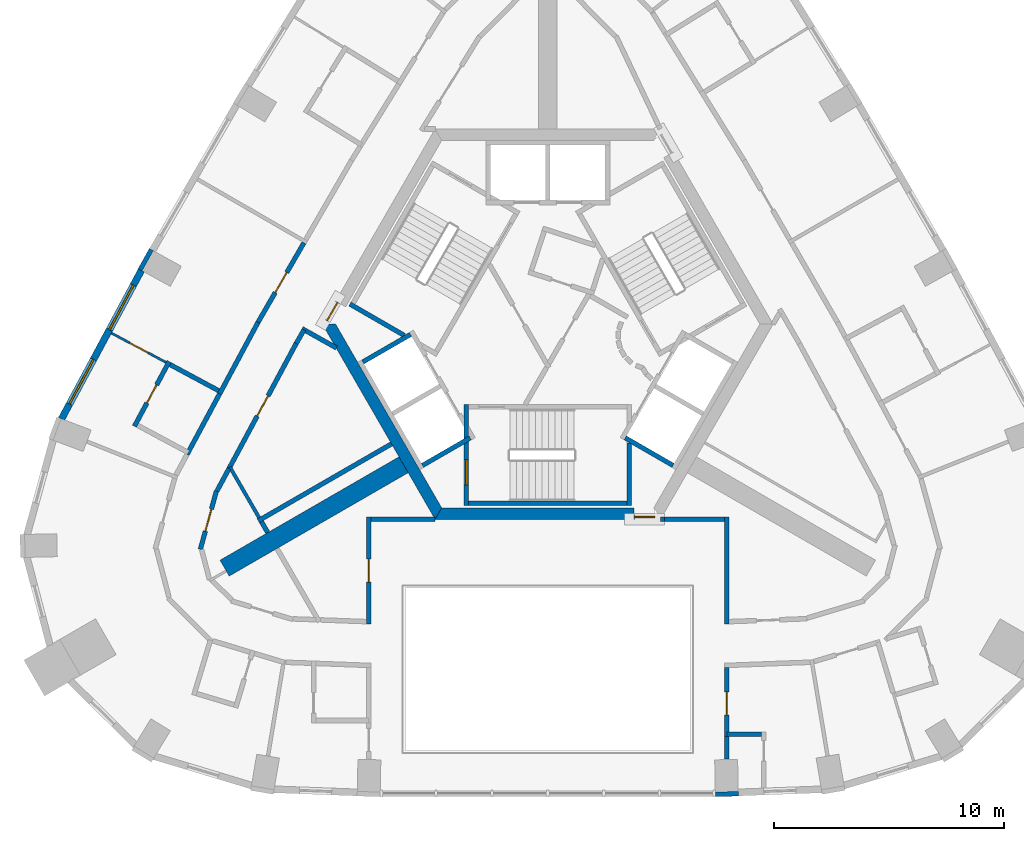
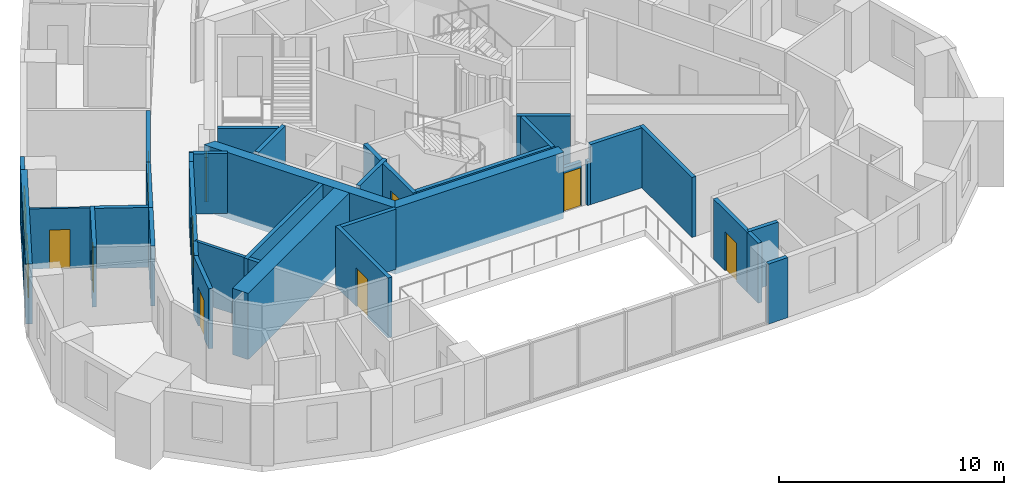
# One storey, part 4 of 10: 37 walls, 10 doors, 2 windows, 12 openings.
"""IFC4 building model written with IfcOpenShell, lengths in metres."""

from ifc_helpers import new_model, si_unit, direction, frame, frame_2d, origin, place, context, subcontext, project, spatial, polyline, rectangle, outline, extrude, material, layer, layer_set, type_object, element, fill, save


model = new_model("IFC4")

# Units and contexts
model_context = context("Model", 3, precision=1e-05, world=origin(), true_north=direction((0.0, 1.0)))
body_context = subcontext(model_context, "Body", "Model", "MODEL_VIEW")
ifc_project = project(units=[si_unit("LENGTHUNIT", "METRE"), si_unit("AREAUNIT", "SQUARE_METRE"), si_unit("VOLUMEUNIT", "CUBIC_METRE"), si_unit("PLANEANGLEUNIT", "RADIAN"), si_unit("MASSUNIT", "GRAM", prefix="KILO")], contexts=[model_context])

# Site, building, storey
site_placement = place(None, origin())
site = spatial("IfcSite", under=ifc_project, at=site_placement, CompositionType="ELEMENT")
building_placement = place(site_placement, origin())
building = spatial("IfcBuilding", under=site, at=building_placement, Name="Entoto Arch Interchange Tower", CompositionType="ELEMENT")
storey_placement = place(building_placement, frame((0.0, 0.0, 300.800048828125)))
storey = spatial("IfcBuildingStorey", under=building, at=storey_placement, Name="L70", CompositionType="ELEMENT", Elevation=300.800048828125)

# Wall
ifc_material_1 = material(Name="Concrete C40/50", Category="concrete")
ifc_layer_1 = layer(ifc_material_1, 0.800048828125)
ifc_layer_set_1 = layer_set([ifc_layer_1], Name="Concrete C40/50")
wall_type_1 = type_object("IfcWallType", Name="Buttress wall 800 C40/50", PredefinedType="SHEAR", material=ifc_layer_set_1)
wall_1_placement = place(storey_placement, frame((-6.279052734375, -3.625, -0.340087890625), z_axis=(0.0, 0.0, 1.0), x_axis=(-0.866017533419, -0.500013631625, 0.0)))
element("IfcWall", 1, at=wall_1_placement, inside=storey, type_object=wall_type_1, Name="Buttress wall SW L70", PredefinedType="SHEAR", context=body_context, shape_type="SweptSolid", body=[
    extrude(rectangle(XDim=8.999755859375, YDim=0.800048828125, at=frame_2d((4.5, 0.0))), origin(), (0.0, 0.0, 1.0), 3.60009765625),
])

# Wall, opening, door
ifc_material_2 = material(Name="Reinforced concrete C40/50", Category="concrete")
ifc_layer_2 = layer(ifc_material_2, 0.199951171875)
ifc_layer_set_2 = layer_set([ifc_layer_2], Name="Reinforced concrete C40/50")
wall_type_2 = type_object("IfcWallType", Name="CORE GAP INFILL WALL", PredefinedType="PARTITIONING", material=ifc_layer_set_2)
wall_2_placement = place(storey_placement, frame((3.75, -5.89990234375, 0.0), z_axis=(0.0, 0.0, 1.0), x_axis=(1.0, 0.0, 0.0)))
wall_2 = element("IfcWall", 2, at=wall_2_placement, inside=storey, type_object=wall_type_2, Name="wall:L70:gap1", PredefinedType="PARTITIONING", context=body_context, shape_type="SweptSolid", body=[
    extrude(rectangle(XDim=0.926025390625, YDim=0.199951171875, at=frame_2d((0.462890625, 0.0))), origin(), (0.0, 0.0, 1.0), 2.39990234375),
])
opening_1_placement = place(wall_2_placement, frame((0.01708984375, 0.0, 0.0)))
opening_1 = element("IfcOpeningElement", 3, at=opening_1_placement, cuts=wall_2, Name="Opening L70-D91", PredefinedType="OPENING", context=body_context, shape_type="SweptSolid", body=[
    extrude(rectangle(XDim=0.89990234375, YDim=2.10009765625, at=frame_2d((0.449951171875, 1.050048828125))), frame((0.0, 0.10986328125, 0.0), z_axis=(0.0, -1.0, 0.0), x_axis=(1.0, 0.0, 0.0)), (0.0, 0.0, 1.0), 0.219970703125),
])
ifc_material_3 = material(Name="Fire-rated Steel S235 door and frame", Category="steel")
door_type_1 = type_object("IfcDoorType", Name="DOOR FD-09 900x2100", OperationType="SINGLE_SWING_LEFT", PredefinedType="DOOR", material=ifc_material_3)
door_1_placement = place(opening_1_placement, origin())
door_1 = element("IfcDoor", 4, at=door_1_placement, inside=storey, type_object=door_type_1, Name="door:L70:gap1", OperationType="SINGLE_SWING_LEFT", OverallHeight=2.10009765625, OverallWidth=0.89990234375, PredefinedType="DOOR", context=body_context, shape_type="SweptSolid", body=[
    extrude(rectangle(XDim=0.89990234375, YDim=2.10009765625, at=frame_2d((0.449951171875, 1.050048828125))), frame((0.0, 0.02490234375, 0.0), z_axis=(0.0, -1.0, 0.0), x_axis=(1.0, 0.0, 0.0)), (0.0, 0.0, 1.0), 0.050048828125),
])
fill(opening_1, door_1)

wall_3_placement = place(storey_placement, frame((-9.14990234375, 3.451904296875, 0.0), z_axis=(0.0, 0.0, 1.0), x_axis=(-0.500079945886, -0.865979242085, 0.0)))
wall_3 = element("IfcWall", 5, at=wall_3_placement, inside=storey, type_object=wall_type_2, Name="wall:L70:gap3", PredefinedType="PARTITIONING", context=body_context, shape_type="SweptSolid", body=[
    extrude(rectangle(XDim=0.926025390625, YDim=0.199951171875, at=frame_2d((0.462890625, 0.0))), origin(), (0.0, 0.0, 1.0), 2.39990234375),
])
opening_2_placement = place(wall_3_placement, frame((0.01708984375, 0.0, 0.0)))
opening_2 = element("IfcOpeningElement", 6, at=opening_2_placement, cuts=wall_3, Name="Opening L70-D93", PredefinedType="OPENING", context=body_context, shape_type="SweptSolid", body=[
    extrude(rectangle(XDim=0.89990234375, YDim=2.10009765625, at=frame_2d((0.449951171875, 1.050048828125))), frame((0.0, 0.10986328125, 0.0), z_axis=(0.0, -1.0, 0.0), x_axis=(1.0, 0.0, 0.0)), (0.0, 0.0, 1.0), 0.219970703125),
])
door_2_placement = place(opening_2_placement, origin())
door_2 = element("IfcDoor", 7, at=door_2_placement, inside=storey, type_object=door_type_1, Name="door:L70:gap3", OperationType="SINGLE_SWING_LEFT", OverallHeight=2.10009765625, OverallWidth=0.89990234375, PredefinedType="DOOR", context=body_context, shape_type="SweptSolid", body=[
    extrude(rectangle(XDim=0.89990234375, YDim=2.10009765625, at=frame_2d((0.449951171875, 1.050048828125))), frame((0.0, 0.02490234375, 0.0), z_axis=(0.0, -1.0, 0.0), x_axis=(1.0, 0.0, 0.0)), (0.0, 0.0, 1.0), 0.050048828125),
])
fill(opening_2, door_2)

# Walls
ifc_layer_3 = layer(ifc_material_1, 0.5)
ifc_layer_set_3 = layer_set([ifc_layer_3], Name="Concrete C40/50")
wall_type_3 = type_object("IfcWallType", Name="Core wall 500 C40/50", PredefinedType="SHEAR", material=ifc_layer_set_3)
wall_4_placement = place(storey_placement, frame((0.0, 0.0, -0.340087890625)))
element("IfcWall", 8, at=wall_4_placement, inside=storey, type_object=wall_type_3, Name="Core wall SW L70", PredefinedType="SHEAR", context=body_context, shape_type="SweptSolid", body=[
    extrude(outline(polyline([(-9.81494140625, 2.5), (-4.906982421875, -6.0), (-4.618896484375, -5.5), (-9.238037109375, 2.5), (-9.81494140625, 2.5)])), origin(), (0.0, 0.0, 1.0), 3.60009765625),
])
wall_5_placement = place(storey_placement, frame((0.0, 0.0, -0.340087890625)))
element("IfcWall", 9, at=wall_5_placement, inside=storey, type_object=wall_type_3, Name="Core wall S L70", PredefinedType="SHEAR", context=body_context, shape_type="SweptSolid", body=[
    extrude(outline(polyline([(3.75, -6.0), (3.75, -5.5), (-4.618896484375, -5.5), (-4.906982421875, -6.0), (3.75, -6.0)])), origin(), (0.0, 0.0, 1.0), 3.60009765625),
])
ifc_layer_4 = layer(ifc_material_1, 0.199951171875)
ifc_layer_set_4 = layer_set([ifc_layer_4], Name="Concrete C40/50")
wall_type_4 = type_object("IfcWallType", Name="LIFT SHAFT WALL 200", PredefinedType="STANDARD", material=ifc_layer_set_4)
wall_6_placement = place(storey_placement, frame((-5.97705078125, 2.052001953125, 0.0), z_axis=(0.0, 0.0, 1.0), x_axis=(-0.865973769406, -0.500089422704, 0.0)))
element("IfcWall", 10, at=wall_6_placement, inside=storey, type_object=wall_type_4, Name="Shaft wall SW1 cross 1", PredefinedType="STANDARD", context=body_context, shape_type="SweptSolid", body=[
    extrude(rectangle(XDim=2.3994140625, YDim=0.199951171875, at=frame_2d((1.19970703125, 0.0))), origin(), (0.0, 0.0, 1.0), 3.260009765625),
])
for number, where, z_axis, x_axis, name in (
    (11, (-3.376953125, -2.451904296875, 0.0), (0.0, 0.0, 1.0), (-0.865955154139, -0.50012165622, 0.0), "Shaft wall SW1 cross 3"),
    (12, (3.376953125, -2.451904296875, 0.0), (0.0, 0.0, 1.0), (0.865955154139, -0.50012165622, 0.0), "Shaft wall SE1 cross 1"),
):
    element("IfcWall", number, at=place(storey_placement, frame(where, z_axis=z_axis, x_axis=x_axis)), inside=storey, type_object=wall_type_4, Name=name, PredefinedType="STANDARD", context=body_context, shape_type="SweptSolid", body=[
        extrude(rectangle(XDim=2.39990234375, YDim=0.199951171875, at=frame_2d((1.199951171875, 0.0))), origin(), (0.0, 0.0, 1.0), 3.260009765625),
    ])

# Wall, opening, door
ifc_material_4 = material(Name="Gypsum board partition on steel studs", Category="steel")
ifc_layer_5 = layer(ifc_material_4, 0.10009765625)
ifc_layer_set_5 = layer_set([ifc_layer_5], Name="Gypsum board partition on steel studs")
wall_type_5 = type_object("IfcWallType", Name="PARTITION 100", PredefinedType="PARTITIONING", material=ifc_layer_set_5)
wall_7_placement = place(storey_placement, frame((-16.62109375, 0.83203125, 0.0), z_axis=(0.0, 0.0, 1.0), x_axis=(-0.880914863524, 0.47327476504, 0.0)))
wall_7 = element("IfcWall", 13, at=wall_7_placement, inside=storey, type_object=wall_type_5, Name="wall:L70:p120", PredefinedType="PARTITIONING", context=body_context, shape_type="SweptSolid", body=[
    extrude(rectangle(XDim=2.700439453125, YDim=0.10009765625, at=frame_2d((1.35009765625, 0.0))), origin(), (0.0, 0.0, 1.0), 3.260009765625),
])
opening_3_placement = place(wall_7_placement, frame((0.89990234375, 0.0, 0.0)))
opening_3 = element("IfcOpeningElement", 14, at=opening_3_placement, cuts=wall_7, Name="Opening L70-D19", PredefinedType="OPENING", context=body_context, shape_type="SweptSolid", body=[
    extrude(rectangle(XDim=0.89990234375, YDim=2.10009765625, at=frame_2d((0.449951171875, 1.050048828125))), frame((0.0, 0.06005859375, 0.0), z_axis=(0.0, -1.0, 0.0), x_axis=(1.0, 0.0, 0.0)), (0.0, 0.0, 1.0), 0.1201171875),
])
ifc_material_5 = material(Name="Timber door leaf in Steel S235 frame", Category="steel")
door_type_2 = type_object("IfcDoorType", Name="DOOR DS-09 900x2100", OperationType="SINGLE_SWING_LEFT", PredefinedType="DOOR", material=ifc_material_5)
door_3_placement = place(opening_3_placement, origin())
door_3 = element("IfcDoor", 15, at=door_3_placement, inside=storey, type_object=door_type_2, Name="door:L70:19", OperationType="SINGLE_SWING_LEFT", OverallHeight=2.10009765625, OverallWidth=0.89990234375, PredefinedType="DOOR", context=body_context, shape_type="SweptSolid", body=[
    extrude(rectangle(XDim=0.89990234375, YDim=2.10009765625, at=frame_2d((0.449951171875, 1.050048828125))), frame((0.0, 0.02490234375, 0.0), z_axis=(0.0, -1.0, 0.0), x_axis=(1.0, 0.0, 0.0)), (0.0, 0.0, 1.0), 0.050048828125),
])
fill(opening_3, door_3)

# Walls
ifc_layer_6 = layer(ifc_material_4, 0.14990234375)
ifc_layer_set_6 = layer_set([ifc_layer_6], Name="Gypsum board partition on steel studs")
wall_type_6 = type_object("IfcWallType", Name="PARTITION 150", PredefinedType="PARTITIONING", material=ifc_layer_set_6)
wall_8_placement = place(storey_placement, frame((-12.570068359375, -5.927001953125, 0.0), z_axis=(0.0, 0.0, 1.0), x_axis=(-0.500197803108, 0.865911171983, 0.0)))
element("IfcWall", 16, at=wall_8_placement, inside=storey, type_object=wall_type_6, Name="wall:L70:p086", PredefinedType="PARTITIONING", context=body_context, shape_type="SweptSolid", body=[
    extrude(rectangle(XDim=2.548828125, YDim=0.14990234375, at=frame_2d((1.2744140625, 0.0))), origin(), (0.0, 0.0, 1.0), 3.260009765625),
])
ifc_layer_7 = layer(ifc_material_4, 0.199951171875)
ifc_layer_set_7 = layer_set([ifc_layer_7], Name="Gypsum board partition on steel studs")
wall_type_7 = type_object("IfcWallType", Name="PARTITION 200", PredefinedType="PARTITIONING", material=ifc_layer_set_7)
wall_9_placement = place(storey_placement, frame((-9.202880859375, 1.465087890625, 0.0), z_axis=(0.0, 0.0, 1.0), x_axis=(-0.872243753731, 0.489071399775, 0.0)))
element("IfcWall", 17, at=wall_9_placement, inside=storey, type_object=wall_type_7, Name="wall:L70:p021", PredefinedType="PARTITIONING", context=body_context, shape_type="SweptSolid", body=[
    extrude(rectangle(XDim=1.71533203125, YDim=0.199951171875, at=frame_2d((0.857666015625, 0.0))), origin(), (0.0, 0.0, 1.0), 3.260009765625),
])
wall_10_placement = place(storey_placement, frame((-10.612060546875, 2.2548828125, 0.0), z_axis=(0.0, 0.0, 1.0), x_axis=(-0.499916971989, -0.866073334723, 0.0)))
element("IfcWall", 18, at=wall_10_placement, inside=storey, type_object=wall_type_7, Name="wall:L70:p022", PredefinedType="PARTITIONING", context=body_context, shape_type="SweptSolid", body=[
    extrude(rectangle(XDim=0.68798828125, YDim=0.199951171875, at=frame_2d((0.343994140625, 0.0))), origin(), (0.0, 0.0, 1.0), 3.260009765625),
])

# Wall, opening, door
wall_11_placement = place(storey_placement, frame((-10.9560546875, 1.658935546875, 0.0), z_axis=(0.0, 0.0, 1.0), x_axis=(-0.473095976848, -0.881010894762, 0.0)))
wall_11 = element("IfcWall", 19, at=wall_11_placement, inside=storey, type_object=wall_type_7, Name="wall:L70:p023", PredefinedType="PARTITIONING", context=body_context, shape_type="SweptSolid", body=[
    extrude(rectangle(XDim=6.18017578125, YDim=0.199951171875, at=frame_2d((3.090087890625, 0.0))), origin(), (0.0, 0.0, 1.0), 3.260009765625),
])
opening_4_placement = place(wall_11_placement, frame((2.590087890625, 0.0, 0.0)))
opening_4 = element("IfcOpeningElement", 20, at=opening_4_placement, cuts=wall_11, Name="Opening L70-D28", PredefinedType="OPENING", context=body_context, shape_type="SweptSolid", body=[
    extrude(rectangle(XDim=1.0, YDim=2.10009765625, at=frame_2d((0.5, 1.050048828125))), frame((0.0, 0.10986328125, 0.0), z_axis=(0.0, -1.0, 0.0), x_axis=(1.0, 0.0, 0.0)), (0.0, 0.0, 1.0), 0.219970703125),
])
door_type_3 = type_object("IfcDoorType", Name="DOOR DS-10 1000x2100", OperationType="SINGLE_SWING_LEFT", PredefinedType="DOOR", material=ifc_material_5)
door_4_placement = place(opening_4_placement, origin())
door_4 = element("IfcDoor", 21, at=door_4_placement, inside=storey, type_object=door_type_3, Name="door:L70:28", OperationType="SINGLE_SWING_LEFT", OverallHeight=2.10009765625, OverallWidth=1.0, PredefinedType="DOOR", context=body_context, shape_type="SweptSolid", body=[
    extrude(rectangle(XDim=1.0, YDim=2.10009765625, at=frame_2d((0.5, 1.050048828125))), frame((0.0, 0.02490234375, 0.0), z_axis=(0.0, -1.0, 0.0), x_axis=(1.0, 0.0, 0.0)), (0.0, 0.0, 1.0), 0.050048828125),
])
fill(opening_4, door_4)

# Wall
wall_12_placement = place(storey_placement, frame((-13.8798828125, -3.785888671875, 0.0), z_axis=(0.0, 0.0, 1.0), x_axis=(-0.473500327913, -0.880793641817, 0.0)))
element("IfcWall", 22, at=wall_12_placement, inside=storey, type_object=wall_type_7, Name="wall:L70:p025", PredefinedType="PARTITIONING", context=body_context, shape_type="SweptSolid", body=[
    extrude(rectangle(XDim=1.117431640625, YDim=0.199951171875, at=frame_2d((0.55859375, 0.0))), origin(), (0.0, 0.0, 1.0), 3.260009765625),
])

# Wall, opening, door
wall_13_placement = place(storey_placement, frame((-14.428955078125, -4.760986328125, 0.0), z_axis=(0.0, 0.0, 1.0), x_axis=(-0.265321869293, -0.964159896321, 0.0)))
wall_13 = element("IfcWall", 23, at=wall_13_placement, inside=storey, type_object=wall_type_7, Name="wall:L70:p026", PredefinedType="PARTITIONING", context=body_context, shape_type="SweptSolid", body=[
    extrude(rectangle(XDim=2.641845703125, YDim=0.199951171875, at=frame_2d((1.32080078125, 0.0))), origin(), (0.0, 0.0, 1.0), 3.260009765625),
])
opening_5_placement = place(wall_13_placement, frame((0.821044921875, 0.0, 0.0)))
opening_5 = element("IfcOpeningElement", 24, at=opening_5_placement, cuts=wall_13, Name="Opening L70-D30", PredefinedType="OPENING", context=body_context, shape_type="SweptSolid", body=[
    extrude(rectangle(XDim=1.0, YDim=2.10009765625, at=frame_2d((0.5, 1.050048828125))), frame((0.0, 0.10986328125, 0.0), z_axis=(0.0, -1.0, 0.0), x_axis=(1.0, 0.0, 0.0)), (0.0, 0.0, 1.0), 0.219970703125),
])
door_5_placement = place(opening_5_placement, origin())
door_5 = element("IfcDoor", 25, at=door_5_placement, inside=storey, type_object=door_type_3, Name="door:L70:30", OperationType="SINGLE_SWING_LEFT", OverallHeight=2.10009765625, OverallWidth=1.0, PredefinedType="DOOR", context=body_context, shape_type="SweptSolid", body=[
    extrude(rectangle(XDim=1.0, YDim=2.10009765625, at=frame_2d((0.5, 1.050048828125))), frame((0.0, 0.02490234375, 0.0), z_axis=(0.0, -1.0, 0.0), x_axis=(1.0, 0.0, 0.0)), (0.0, 0.0, 1.0), 0.050048828125),
])
fill(opening_5, door_5)

# Wall
wall_14_placement = place(storey_placement, frame((-14.2900390625, -0.532958984375, 0.0), z_axis=(0.0, 0.0, 1.0), x_axis=(0.473161350875, 0.880975786295, 0.0)))
element("IfcWall", 26, at=wall_14_placement, inside=storey, type_object=wall_type_7, Name="wall:L70:p052", PredefinedType="PARTITIONING", context=body_context, shape_type="SweptSolid", body=[
    extrude(rectangle(XDim=3.5380859375, YDim=0.199951171875, at=frame_2d((1.76904296875, 0.0))), origin(), (0.0, 0.0, 1.0), 3.260009765625),
])

# Wall, opening, door
wall_15_placement = place(storey_placement, frame((-12.615966796875, 2.583984375, 0.0), z_axis=(0.0, 0.0, 1.0), x_axis=(0.50008212199, 0.86597798544, 0.0)))
wall_15 = element("IfcWall", 27, at=wall_15_placement, inside=storey, type_object=wall_type_7, Name="wall:L70:p053", PredefinedType="PARTITIONING", context=body_context, shape_type="SweptSolid", body=[
    extrude(rectangle(XDim=3.995361328125, YDim=0.199951171875, at=frame_2d((1.99755859375, 0.0))), origin(), (0.0, 0.0, 1.0), 3.260009765625),
])
opening_6_placement = place(wall_15_placement, frame((1.498046875, 0.0, 0.0)))
opening_6 = element("IfcOpeningElement", 28, at=opening_6_placement, cuts=wall_15, Name="Opening L70-D18", PredefinedType="OPENING", context=body_context, shape_type="SweptSolid", body=[
    extrude(rectangle(XDim=1.0, YDim=2.10009765625, at=frame_2d((0.5, 1.050048828125))), frame((0.0, 0.10986328125, 0.0), z_axis=(0.0, -1.0, 0.0), x_axis=(1.0, 0.0, 0.0)), (0.0, 0.0, 1.0), 0.219970703125),
])
door_type_4 = type_object("IfcDoorType", Name="DOOR FD-10 1000x2100", OperationType="SINGLE_SWING_LEFT", PredefinedType="DOOR", material=ifc_material_3)
door_6_placement = place(opening_6_placement, origin())
door_6 = element("IfcDoor", 29, at=door_6_placement, inside=storey, type_object=door_type_4, Name="door:L70:18", OperationType="SINGLE_SWING_LEFT", OverallHeight=2.10009765625, OverallWidth=1.0, PredefinedType="DOOR", context=body_context, shape_type="SweptSolid", body=[
    extrude(rectangle(XDim=1.0, YDim=2.10009765625, at=frame_2d((0.5, 1.050048828125))), frame((0.0, 0.02490234375, 0.0), z_axis=(0.0, -1.0, 0.0), x_axis=(1.0, 0.0, 0.0)), (0.0, 0.0, 1.0), 0.050048828125),
])
fill(opening_6, door_6)

# Walls
wall_16_placement = place(storey_placement, frame((-15.7099609375, -3.176025390625, 0.0), z_axis=(0.0, 0.0, 1.0), x_axis=(0.473255284848, 0.880925329051, 0.0)))
element("IfcWall", 30, at=wall_16_placement, inside=storey, type_object=wall_type_7, Name="wall:L70:p055", PredefinedType="PARTITIONING", context=body_context, shape_type="SweptSolid", body=[
    extrude(rectangle(XDim=3.000244140625, YDim=0.199951171875, at=frame_2d((1.5, 0.0))), origin(), (0.0, 0.0, 1.0), 3.260009765625),
])
wall_17_placement = place(storey_placement, frame((4.907958984375, -5.9990234375, 0.0), z_axis=(0.0, 0.0, 1.0), x_axis=(1.0, 0.0, 0.0)))
element("IfcWall", 31, at=wall_17_placement, inside=storey, type_object=wall_type_7, Name="wall:L70:p075", PredefinedType="PARTITIONING", context=body_context, shape_type="SweptSolid", body=[
    extrude(rectangle(XDim=0.16796875, YDim=0.199951171875, at=frame_2d((0.083984375, 0.0))), origin(), (0.0, 0.0, 1.0), 2.39990234375),
])
wall_18_placement = place(storey_placement, frame((7.800048828125, -5.89892578125, 0.0), z_axis=(0.0, 0.0, 1.0), x_axis=(0.0, -1.0, 0.0)))
element("IfcWall", 32, at=wall_18_placement, inside=storey, type_object=wall_type_7, Name="wall:L70:p076", PredefinedType="PARTITIONING", context=body_context, shape_type="SweptSolid", body=[
    extrude(rectangle(XDim=4.66015625, YDim=0.199951171875, at=frame_2d((2.330078125, 0.0))), origin(), (0.0, 0.0, 1.0), 3.260009765625),
])

# Wall, opening, door
wall_19_placement = place(storey_placement, frame((-7.800048828125, -10.55908203125, 0.0), z_axis=(0.0, 0.0, 1.0), x_axis=(0.0, 1.0, 0.0)))
wall_19 = element("IfcWall", 33, at=wall_19_placement, inside=storey, type_object=wall_type_7, Name="wall:L70:p077", PredefinedType="PARTITIONING", context=body_context, shape_type="SweptSolid", body=[
    extrude(rectangle(XDim=4.66015625, YDim=0.199951171875, at=frame_2d((2.330078125, 0.0))), origin(), (0.0, 0.0, 1.0), 3.260009765625),
])
opening_7_placement = place(wall_19_placement, frame((1.830078125, 0.0, 0.0)))
opening_7 = element("IfcOpeningElement", 34, at=opening_7_placement, cuts=wall_19, Name="Opening L70-D29", PredefinedType="OPENING", context=body_context, shape_type="SweptSolid", body=[
    extrude(rectangle(XDim=1.0, YDim=2.10009765625, at=frame_2d((0.5, 1.050048828125))), frame((0.0, 0.10986328125, 0.0), z_axis=(0.0, -1.0, 0.0), x_axis=(1.0, 0.0, 0.0)), (0.0, 0.0, 1.0), 0.219970703125),
])
door_7_placement = place(opening_7_placement, origin())
door_7 = element("IfcDoor", 35, at=door_7_placement, inside=storey, type_object=door_type_3, Name="door:L70:29", OperationType="SINGLE_SWING_LEFT", OverallHeight=2.10009765625, OverallWidth=1.0, PredefinedType="DOOR", context=body_context, shape_type="SweptSolid", body=[
    extrude(rectangle(XDim=1.0, YDim=2.10009765625, at=frame_2d((0.5, 1.050048828125))), frame((0.0, 0.02490234375, 0.0), z_axis=(0.0, -1.0, 0.0), x_axis=(1.0, 0.0, 0.0)), (0.0, 0.0, 1.0), 0.050048828125),
])
fill(opening_7, door_7)

# Wall
wall_20_placement = place(storey_placement, frame((-7.699951171875, -5.9990234375, 0.0), z_axis=(0.0, 0.0, 1.0), x_axis=(1.0, 0.0, 0.0)))
element("IfcWall", 36, at=wall_20_placement, inside=storey, type_object=wall_type_7, Name="wall:L70:p078", PredefinedType="PARTITIONING", context=body_context, shape_type="SweptSolid", body=[
    extrude(rectangle(XDim=2.7919921875, YDim=0.199951171875, at=frame_2d((1.39599609375, 0.0))), origin(), (0.0, 0.0, 1.0), 3.260009765625),
])

# Wall, opening, door
wall_21_placement = place(storey_placement, frame((7.800048828125, -12.4599609375, 0.0), z_axis=(0.0, 0.0, 1.0), x_axis=(0.0, -1.0, 0.0)))
wall_21 = element("IfcWall", 37, at=wall_21_placement, inside=storey, type_object=wall_type_7, Name="wall:L70:p079", PredefinedType="PARTITIONING", context=body_context, shape_type="SweptSolid", body=[
    extrude(rectangle(XDim=3.004150390625, YDim=0.199951171875, at=frame_2d((1.501953125, 0.0))), origin(), (0.0, 0.0, 1.0), 3.260009765625),
])
opening_8_placement = place(wall_21_placement, frame((1.052001953125, 0.0, 0.0)))
opening_8 = element("IfcOpeningElement", 38, at=opening_8_placement, cuts=wall_21, Name="Opening L70-D01", PredefinedType="OPENING", context=body_context, shape_type="SweptSolid", body=[
    extrude(rectangle(XDim=1.0, YDim=2.10009765625, at=frame_2d((0.5, 1.050048828125))), frame((0.0, 0.10986328125, 0.0), z_axis=(0.0, -1.0, 0.0), x_axis=(1.0, 0.0, 0.0)), (0.0, 0.0, 1.0), 0.219970703125),
])
door_8_placement = place(opening_8_placement, origin())
door_8 = element("IfcDoor", 39, at=door_8_placement, inside=storey, type_object=door_type_4, Name="door:L70:01", OperationType="SINGLE_SWING_RIGHT", OverallHeight=2.10009765625, OverallWidth=1.0, PredefinedType="DOOR", context=body_context, shape_type="SweptSolid", body=[
    extrude(rectangle(XDim=1.0, YDim=2.10009765625, at=frame_2d((0.5, 1.050048828125))), frame((0.0, 0.02490234375, 0.0), z_axis=(0.0, -1.0, 0.0), x_axis=(1.0, 0.0, 0.0)), (0.0, 0.0, 1.0), 0.050048828125),
])
fill(opening_8, door_8)

# Walls
wall_22_placement = place(storey_placement, frame((7.800048828125, -15.464111328125, 0.0), z_axis=(0.0, 0.0, 1.0), x_axis=(0.0, -1.0, 0.0)))
element("IfcWall", 40, at=wall_22_placement, inside=storey, type_object=wall_type_7, Name="wall:L70:p080", PredefinedType="PARTITIONING", context=body_context, shape_type="SweptSolid", body=[
    extrude(rectangle(XDim=0.97998046875, YDim=0.199951171875, at=frame_2d((0.489990234375, 0.0))), origin(), (0.0, 0.0, 1.0), 3.260009765625),
])
wall_23_placement = place(storey_placement, frame((-6.803955078125, -2.714111328125, 0.0), z_axis=(0.0, 0.0, 1.0), x_axis=(-0.866057565063, -0.499944290893, 0.0)))
element("IfcWall", 41, at=wall_23_placement, inside=storey, type_object=wall_type_7, Name="wall:L70:p085", PredefinedType="PARTITIONING", context=body_context, shape_type="SweptSolid", body=[
    extrude(rectangle(XDim=6.700439453125, YDim=0.199951171875, at=frame_2d((3.35009765625, 0.0))), origin(), (0.0, 0.0, 1.0), 3.260009765625),
])
wall_24_placement = place(storey_placement, frame((-12.194091796875, -6.577880859375, 0.0), z_axis=(0.0, 0.0, 1.0), x_axis=(-0.500809139387, 0.865557742676, 0.0)))
element("IfcWall", 42, at=wall_24_placement, inside=storey, type_object=wall_type_7, Name="wall:L70:p087", PredefinedType="PARTITIONING", context=body_context, shape_type="SweptSolid", body=[
    extrude(rectangle(XDim=0.55078125, YDim=0.199951171875, at=frame_2d((0.275390625, 0.0))), origin(), (0.0, 0.0, 1.0), 3.260009765625),
])
wall_25_placement = place(storey_placement, frame((9.300048828125, -15.364013671875, 0.0), z_axis=(0.0, 0.0, 1.0), x_axis=(-1.0, 0.0, 0.0)))
element("IfcWall", 43, at=wall_25_placement, inside=storey, type_object=wall_type_7, Name="wall:L70:p091", PredefinedType="PARTITIONING", context=body_context, shape_type="SweptSolid", body=[
    extrude(rectangle(XDim=1.5, YDim=0.199951171875, at=frame_2d((0.75, 0.0))), origin(), (0.0, 0.0, 1.0), 3.260009765625),
])
wall_26_placement = place(storey_placement, frame((-14.3310546875, -0.39794921875, 0.0), z_axis=(0.0, 0.0, 1.0), x_axis=(-0.880875830026, 0.473347411608, 0.0)))
element("IfcWall", 44, at=wall_26_placement, inside=storey, type_object=wall_type_7, Name="wall:L70:p121", PredefinedType="PARTITIONING", context=body_context, shape_type="SweptSolid", body=[
    extrude(rectangle(XDim=2.39990234375, YDim=0.199951171875, at=frame_2d((1.199951171875, 0.0))), origin(), (0.0, 0.0, 1.0), 3.260009765625),
])

# Wall, opening, door
wall_27_placement = place(storey_placement, frame((-16.486083984375, 0.873046875, 0.0), z_axis=(0.0, 0.0, 1.0), x_axis=(-0.473116768279, -0.88099972961, 0.0)))
wall_27 = element("IfcWall", 45, at=wall_27_placement, inside=storey, type_object=wall_type_7, Name="wall:L70:p122", PredefinedType="PARTITIONING", context=body_context, shape_type="SweptSolid", body=[
    extrude(rectangle(XDim=3.199951171875, YDim=0.199951171875, at=frame_2d((1.60009765625, 0.0))), origin(), (0.0, 0.0, 1.0), 3.260009765625),
])
opening_9_placement = place(wall_27_placement, frame((1.14990234375, 0.0, 0.0)))
opening_9 = element("IfcOpeningElement", 46, at=opening_9_placement, cuts=wall_27, Name="Opening L70-D20", PredefinedType="OPENING", context=body_context, shape_type="SweptSolid", body=[
    extrude(rectangle(XDim=0.89990234375, YDim=2.10009765625, at=frame_2d((0.449951171875, 1.050048828125))), frame((0.0, 0.10986328125, 0.0), z_axis=(0.0, -1.0, 0.0), x_axis=(1.0, 0.0, 0.0)), (0.0, 0.0, 1.0), 0.219970703125),
])
door_9_placement = place(opening_9_placement, origin())
door_9 = element("IfcDoor", 47, at=door_9_placement, inside=storey, type_object=door_type_2, Name="door:L70:20", OperationType="SINGLE_SWING_LEFT", OverallHeight=2.10009765625, OverallWidth=0.89990234375, PredefinedType="DOOR", context=body_context, shape_type="SweptSolid", body=[
    extrude(rectangle(XDim=0.89990234375, YDim=2.10009765625, at=frame_2d((0.449951171875, 1.050048828125))), frame((0.0, 0.02490234375, 0.0), z_axis=(0.0, -1.0, 0.0), x_axis=(1.0, 0.0, 0.0)), (0.0, 0.0, 1.0), 0.050048828125),
])
fill(opening_9, door_9)

# Wall
wall_28_placement = place(storey_placement, frame((5.075927734375, -5.9990234375, 0.0), z_axis=(0.0, 0.0, 1.0), x_axis=(1.0, 0.0, 0.0)))
element("IfcWall", 48, at=wall_28_placement, inside=storey, type_object=wall_type_7, Name="wall:L70:p075", PredefinedType="PARTITIONING", context=body_context, shape_type="SweptSolid", body=[
    extrude(rectangle(XDim=2.6240234375, YDim=0.199951171875, at=frame_2d((1.31201171875, 0.0))), origin(), (0.0, 0.0, 1.0), 3.260009765625),
])

# Wall, opening, door
ifc_layer_8 = layer(ifc_material_1, 0.199951171875)
ifc_layer_set_8 = layer_set([ifc_layer_8], Name="Concrete C40/50")
wall_type_8 = type_object("IfcWallType", Name="STAIR ENCLOSURE WALL 200", PredefinedType="STANDARD", material=ifc_layer_set_8)
wall_29_placement = place(storey_placement, frame((-3.550048828125, -1.0, 0.0), z_axis=(0.0, 0.0, 1.0), x_axis=(0.0, -1.0, 0.0)))
wall_29 = element("IfcWall", 49, at=wall_29_placement, inside=storey, type_object=wall_type_8, Name="Stair wall ST-S near", PredefinedType="STANDARD", context=body_context, shape_type="SweptSolid", body=[
    extrude(rectangle(XDim=4.39990234375, YDim=0.199951171875, at=frame_2d((2.199951171875, 0.0))), origin(), (0.0, 0.0, 1.0), 3.260009765625),
])
opening_10_placement = place(wall_29_placement, frame((2.39990234375, 0.0, 0.0)))
opening_10 = element("IfcOpeningElement", 50, at=opening_10_placement, cuts=wall_29, Name="Opening SD-ST-S-L70-E", PredefinedType="OPENING", context=body_context, shape_type="SweptSolid", body=[
    extrude(rectangle(XDim=1.10009765625, YDim=2.199951171875, at=frame_2d((0.550048828125, 1.10009765625))), frame((0.0, 0.10986328125, 0.0), z_axis=(0.0, -1.0, 0.0), x_axis=(1.0, 0.0, 0.0)), (0.0, 0.0, 1.0), 0.219970703125),
])
ifc_material_6 = material(Name="Steel S235", Category="steel")
door_type_5 = type_object("IfcDoorType", Name="STAIR DOOR SD1 1100x2200", OperationType="SINGLE_SWING_LEFT", PredefinedType="DOOR", material=ifc_material_6)
door_10_placement = place(opening_10_placement, origin())
door_10 = element("IfcDoor", 51, at=door_10_placement, inside=storey, type_object=door_type_5, Name="Stair door ST-S L70 end", OperationType="SINGLE_SWING_LEFT", OverallHeight=2.199951171875, OverallWidth=1.10009765625, PredefinedType="DOOR", context=body_context, shape_type="SweptSolid", body=[
    extrude(rectangle(XDim=1.10009765625, YDim=2.199951171875, at=frame_2d((0.550048828125, 1.10009765625))), frame((0.0, 0.02490234375, 0.0), z_axis=(0.0, -1.0, 0.0), x_axis=(1.0, 0.0, 0.0)), (0.0, 0.0, 1.0), 0.050048828125),
])
fill(opening_10, door_10)

# Walls
wall_30_placement = place(storey_placement, frame((3.550048828125, -2.6669921875, 0.0), z_axis=(0.0, 0.0, 1.0), x_axis=(0.0, -1.0, 0.0)))
element("IfcWall", 52, at=wall_30_placement, inside=storey, type_object=wall_type_8, Name="Stair wall ST-S far", PredefinedType="STANDARD", context=body_context, shape_type="SweptSolid", body=[
    extrude(rectangle(XDim=2.73291015625, YDim=0.199951171875, at=frame_2d((1.366455078125, 0.0))), origin(), (0.0, 0.0, 1.0), 3.260009765625),
])
wall_31_placement = place(storey_placement, frame((-3.449951171875, -5.300048828125, 0.0), z_axis=(0.0, 0.0, 1.0), x_axis=(1.0, 0.0, 0.0)))
element("IfcWall", 53, at=wall_31_placement, inside=storey, type_object=wall_type_8, Name="Stair wall ST-S back", PredefinedType="STANDARD", context=body_context, shape_type="SweptSolid", body=[
    extrude(rectangle(XDim=6.89990234375, YDim=0.199951171875, at=frame_2d((3.449951171875, 0.0))), origin(), (0.0, 0.0, 1.0), 3.260009765625),
])
wall_32_placement = place(storey_placement, frame((-6.25, 2.010009765625, 0.0), z_axis=(0.0, 0.0, 1.0), x_axis=(-0.86611865017, 0.499838457731, 0.0)))
element("IfcWall", 54, at=wall_32_placement, inside=storey, type_object=wall_type_8, Name="Stair wall ST-NW far", PredefinedType="STANDARD", context=body_context, shape_type="SweptSolid", body=[
    extrude(rectangle(XDim=2.73291015625, YDim=0.199951171875, at=frame_2d((1.366455078125, 0.0))), origin(), (0.0, 0.0, 1.0), 3.260009765625),
])

# Wall, openings, windows
ifc_material_7 = material(Name="Welded tuff (ignimbrite) cladding, warm buff", Category="masonry")
ifc_layer_9 = layer(ifc_material_7, 0.300048828125)
ifc_layer_set_9 = layer_set([ifc_layer_9], Name="Welded tuff (ignimbrite) cladding, warm buff")
wall_type_9 = type_object("IfcWallType", Name="STONE INFILL WALL 300", PredefinedType="STANDARD", material=ifc_layer_set_9)
wall_33_placement = place(storey_placement, frame((-17.700927734375, 4.844970703125, 0.0), z_axis=(0.0, 0.0, 1.0), x_axis=(-0.473225522632, -0.880941317415, 0.0)))
wall_33 = element("IfcWall", 55, at=wall_33_placement, inside=storey, type_object=wall_type_9, Name="Facade wall NW-03 L70", PredefinedType="STANDARD", context=body_context, shape_type="SweptSolid", body=[
    extrude(rectangle(XDim=7.345458984375, YDim=0.300048828125, at=frame_2d((3.6728515625, 0.0))), origin(), (0.0, 0.0, 1.0), 3.260009765625),
])
opening_11_placement = place(wall_33_placement, frame((0.736083984375, 0.0, 0.89990234375)))
opening_11 = element("IfcOpeningElement", 56, at=opening_11_placement, cuts=wall_33, Name="Opening WH-A", PredefinedType="OPENING", context=body_context, shape_type="SweptSolid", body=[
    extrude(rectangle(XDim=2.199951171875, YDim=2.0, at=frame_2d((1.10009765625, 1.0))), frame((0.0, 0.16015625, 0.0), z_axis=(0.0, -1.0, 0.0), x_axis=(1.0, 0.0, 0.0)), (0.0, 0.0, 1.0), 0.320068359375),
])
opening_12_placement = place(wall_33_placement, frame((4.408935546875, 0.0, 0.89990234375)))
opening_12 = element("IfcOpeningElement", 57, at=opening_12_placement, cuts=wall_33, Name="Opening WH-A", PredefinedType="OPENING", context=body_context, shape_type="SweptSolid", body=[
    extrude(rectangle(XDim=2.199951171875, YDim=2.0, at=frame_2d((1.10009765625, 1.0))), frame((0.0, 0.16015625, 0.0), z_axis=(0.0, -1.0, 0.0), x_axis=(1.0, 0.0, 0.0)), (0.0, 0.0, 1.0), 0.320068359375),
])
ifc_material_8 = material(Name="Clear glass, low-e double glazed", Category="glass")
window_type = type_object("IfcWindowType", Name="WINDOW WH-A 2200x2000", PartitioningType="DOUBLE_PANEL_VERTICAL", PredefinedType="WINDOW", material=ifc_material_8)
window_1_placement = place(opening_11_placement, origin())
window_1 = element("IfcWindow", 58, at=window_1_placement, inside=storey, type_object=window_type, Name="Window WH-A NW-03 L70", OverallHeight=2.0, OverallWidth=2.199951171875, PartitioningType="SINGLE_PANEL", PredefinedType="WINDOW", context=body_context, shape_type="SweptSolid", body=[
    extrude(rectangle(XDim=2.199951171875, YDim=2.0, at=frame_2d((1.10009765625, 1.0))), frame((0.0, 0.030029296875, 0.0), z_axis=(0.0, -1.0, 0.0), x_axis=(1.0, 0.0, 0.0)), (0.0, 0.0, 1.0), 0.06005859375),
])
fill(opening_11, window_1)
window_2_placement = place(opening_12_placement, origin())
window_2 = element("IfcWindow", 59, at=window_2_placement, inside=storey, type_object=window_type, Name="Window WH-A NW-03 L70", OverallHeight=2.0, OverallWidth=2.199951171875, PartitioningType="SINGLE_PANEL", PredefinedType="WINDOW", context=body_context, shape_type="SweptSolid", body=[
    extrude(rectangle(XDim=2.199951171875, YDim=2.0, at=frame_2d((1.10009765625, 1.0))), frame((0.0, 0.030029296875, 0.0), z_axis=(0.0, -1.0, 0.0), x_axis=(1.0, 0.0, 0.0)), (0.0, 0.0, 1.0), 0.06005859375),
])
fill(opening_12, window_2)

# Walls
ifc_layer_10 = layer(ifc_material_7, 0.199951171875)
ifc_layer_set_10 = layer_set([ifc_layer_10], Name="Welded tuff (ignimbrite) cladding, warm buff")
wall_type_10 = type_object("IfcWallType", Name="STONE PIER CLADDING 200", PredefinedType="STANDARD", material=ifc_layer_set_10)
wall_34_placement = place(storey_placement, frame((-17.26611328125, 5.74609375, 0.0), z_axis=(0.0, 0.0, 1.0), x_axis=(-0.485850211157, -0.874042088414, 0.0)))
element("IfcWall", 60, at=wall_34_placement, inside=storey, type_object=wall_type_10, Name="Stone pier NW03 L70", PredefinedType="STANDARD", context=body_context, shape_type="SweptSolid", body=[
    extrude(rectangle(XDim=1.0, YDim=0.199951171875, at=frame_2d((0.5, 0.0))), origin(), (0.0, 0.0, 1.0), 3.260009765625),
])
wall_35_placement = place(storey_placement, frame((7.298095703125, -17.97412109375, 0.0), z_axis=(0.0, 0.0, 1.0), x_axis=(0.999799669399, 0.020015520725, 0.0)))
element("IfcWall", 61, at=wall_35_placement, inside=storey, type_object=wall_type_10, Name="Stone pier S03 L70", PredefinedType="STANDARD", context=body_context, shape_type="SweptSolid", body=[
    extrude(rectangle(XDim=1.000244140625, YDim=0.199951171875, at=frame_2d((0.5, 0.0))), origin(), (0.0, 0.0, 1.0), 3.260009765625),
])

save(model, "model.ifc")
